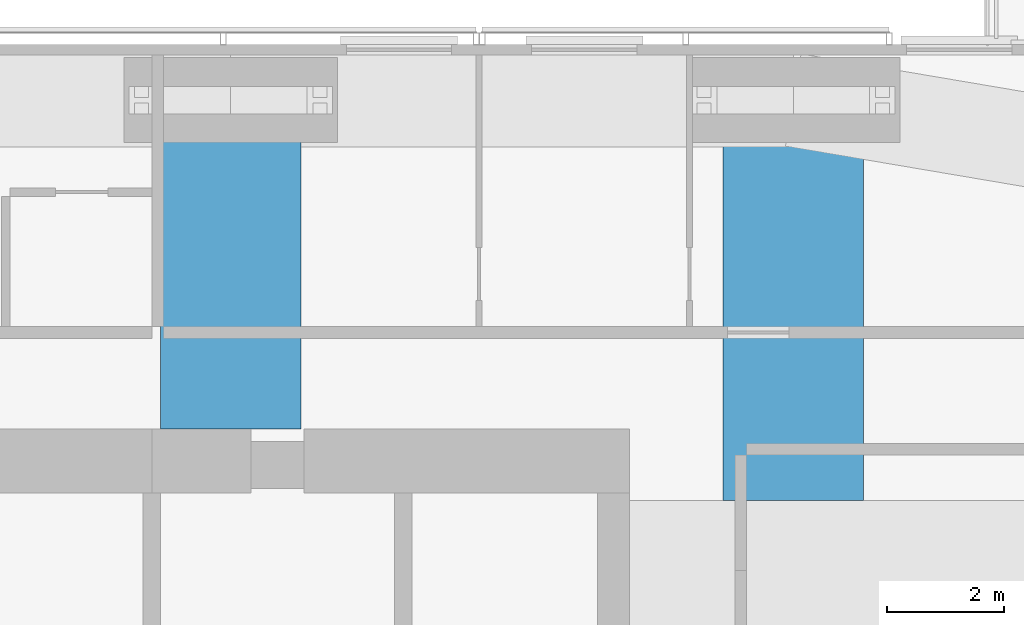
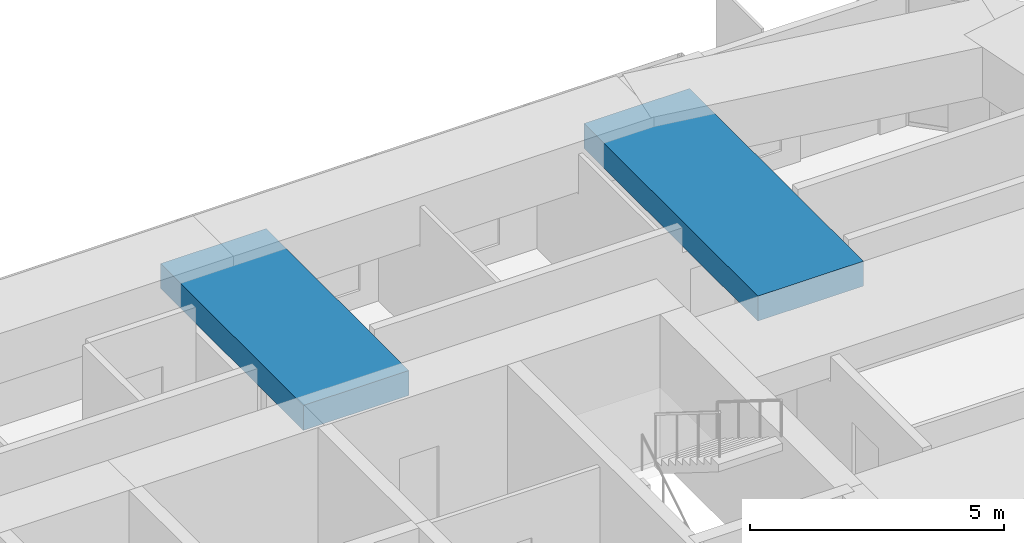
# One storey, part 6 of 18: 2 beams.
"""IFC4 building model written with IfcOpenShell, lengths in metres."""

from ifc_helpers import new_model, si_unit, direction, frame, origin, origin_2d, place, context, subcontext, project, spatial, rectangle, extrude, material, material_profile, profile_set, type_object, element, save


model = new_model("IFC4")

# Units and contexts
model_context = context("Model", 3, precision=1e-05, world=origin(), true_north=direction((0.0, 1.0)))
body_context = subcontext(model_context, "Body", "Model", "MODEL_VIEW")
ifc_project = project(units=[si_unit("LENGTHUNIT", "METRE"), si_unit("AREAUNIT", "SQUARE_METRE"), si_unit("VOLUMEUNIT", "CUBIC_METRE"), si_unit("PLANEANGLEUNIT", "RADIAN"), si_unit("MASSUNIT", "GRAM", prefix="KILO")], contexts=[model_context])

# Site, building, storey
site_placement = place(None, origin())
site = spatial("IfcSite", under=ifc_project, at=site_placement, CompositionType="ELEMENT")
building_placement = place(site_placement, origin())
building = spatial("IfcBuilding", under=site, at=building_placement, Name="Jalousie Tower", CompositionType="ELEMENT")
storey_placement = place(building_placement, frame((0.0, 0.0, 231.949951171875)))
storey = spatial("IfcBuildingStorey", under=building, at=storey_placement, Name="L63", CompositionType="ELEMENT", Elevation=231.949951171875)

# Beams
ifc_material = material(Name="Concrete f'c 40 MPa", Category="concrete")
ifc_material_profile = material_profile(ifc_material, rectangle(XDim=2.39990234375, YDim=0.60009765625, at=origin_2d()), Name="RC 2400x600")
ifc_profile_set = profile_set([ifc_material_profile], Name="Concrete f'c 40 MPa")
beam_type = type_object("IfcBeamType", Name="RC BEAM 2400x600", PredefinedType="BEAM", material=ifc_profile_set)
beam_1_placement = place(storey_placement, frame((37.25, 33.050048828125, 2.9599609375), z_axis=(0.0, -1.0, 0.0), x_axis=(1.0, 0.0, 0.0)))
element("IfcBeam", 1, at=beam_1_placement, inside=storey, type_object=beam_type, Name="Floor band beam under L64", PredefinedType="BEAM", context=body_context, shape_type="SweptSolid", body=[
    extrude(rectangle(XDim=2.39990234375, YDim=0.60009765625, at=origin_2d()), origin(), (0.0, 0.0, 1.0), 5.625),
])
beam_2_placement = place(storey_placement, frame((46.875, 33.050048828125, 2.9599609375), z_axis=(0.0, -1.0, 0.0), x_axis=(1.0, 0.0, 0.0)))
element("IfcBeam", 2, at=beam_2_placement, inside=storey, type_object=beam_type, Name="Floor band beam under L64", PredefinedType="BEAM", context=body_context, shape_type="SweptSolid", body=[
    extrude(rectangle(XDim=2.39990234375, YDim=0.60009765625, at=origin_2d()), origin(), (0.0, 0.0, 1.0), 6.85009765625),
])

save(model, "model.ifc")
